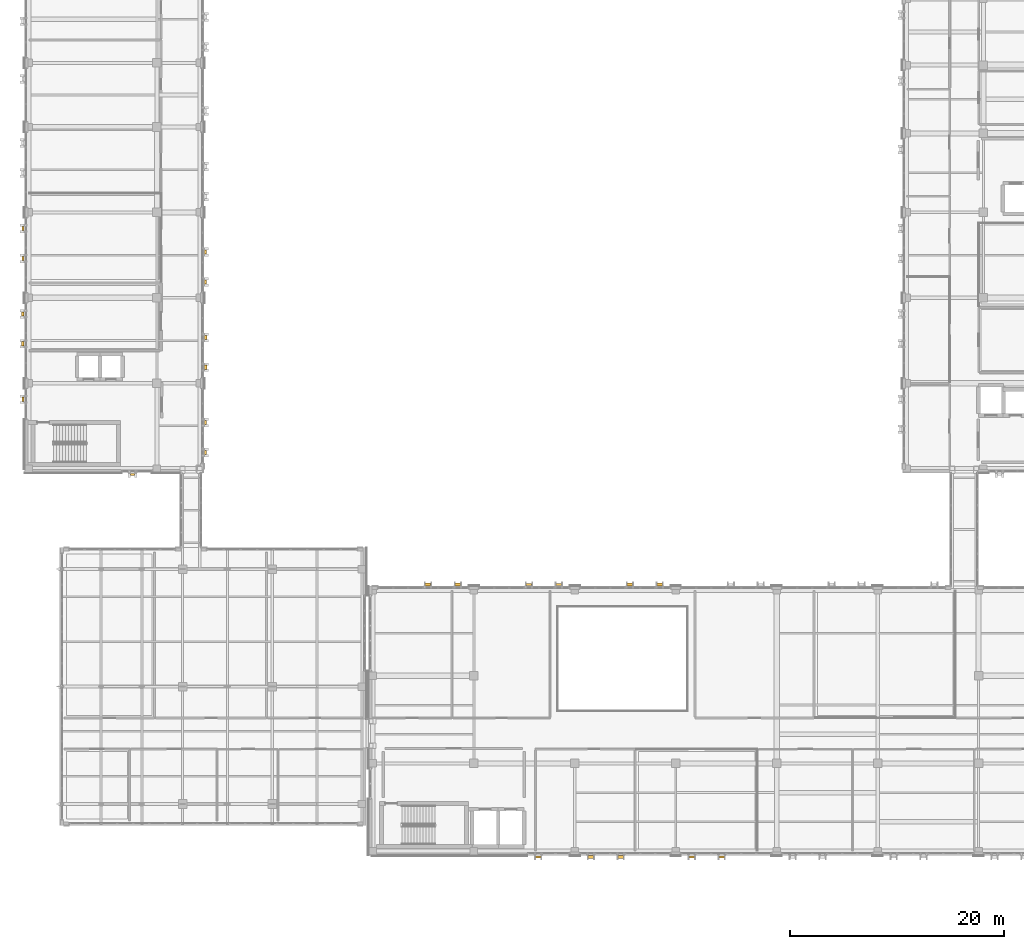
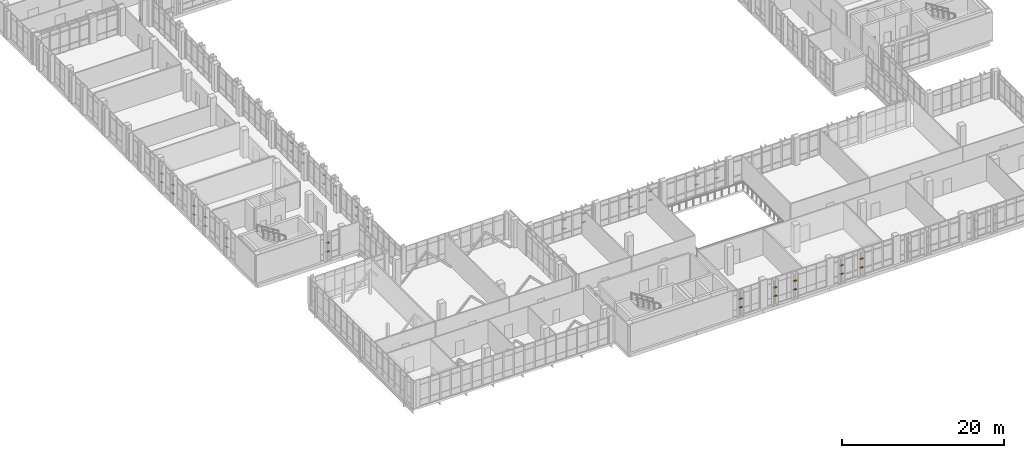
# One storey, part 189 of 193: 46 shading devices.
"""IFC4 building model written with IfcOpenShell, lengths in metres."""

import ifcopenshell
import ifcopenshell.guid

model = None  # the IFC model being written
_history = None  # IfcOwnerHistory: only IFC2X3 demands one
_inside = {}  # id of a spatial element -> (the spatial element, [elements in it])
_under = {}  # id of a project, library or spatial element -> (it, [spatial elements below it])
_declared = {}  # id of a project -> (the project, [libraries it declares])
_typed = {}  # id of a type object -> (the type object, [elements of that type])
_made_of = {}  # id of a material, layer set ... -> (it, [elements and type objects made of it])


def new_model(schema):
    """Start an empty IFC model of exactly this schema.

    Asked for "IFC4X3", IfcOpenShell would pick the latest addendum, in which some entities
    have other attributes; the version numbers below select the first issue.
    IFC2X3 requires an IfcOwnerHistory on every rooted entity: one is made here for all.
    """
    global model, _history
    if schema == "IFC4X3":
        model = ifcopenshell.file(schema_version=(4, 3, 0, 0))
    else:
        model = ifcopenshell.file(schema=schema)
    _inside.clear()
    _under.clear()
    _declared.clear()
    _typed.clear()
    _made_of.clear()
    _history = None
    if model.schema == "IFC2X3":
        org = make("IfcOrganization", Name="unknown")
        user = make(
            "IfcPersonAndOrganization",
            ThePerson=make("IfcPerson", FamilyName="unknown"),
            TheOrganization=org,
        )
        app = make(
            "IfcApplication",
            ApplicationDeveloper=org,
            Version="unknown",
            ApplicationFullName="unknown",
            ApplicationIdentifier="unknown",
        )
        _history = make(
            "IfcOwnerHistory",
            OwningUser=user,
            OwningApplication=app,
            ChangeAction="ADDED",
            CreationDate=0,
        )
    return model


def make(cls, **values):
    """One entity of the class cls with the attributes given. An attribute that is None is left unset."""
    return model.create_entity(
        cls, **{name: value for name, value in values.items() if value is not None}
    )


def rooted(cls, **values):
    """An entity with a GlobalId (a new one), such as an element, a storey or a relation."""
    return make(cls, GlobalId=ifcopenshell.guid.new(), OwnerHistory=_history, **values)


def si_unit(unit_type, name, prefix=None):
    """IfcSIUnit, for example si_unit("LENGTHUNIT", "METRE", prefix="MILLI")."""
    return make("IfcSIUnit", UnitType=unit_type, Prefix=prefix, Name=name)


def assignment(units):
    """IfcUnitAssignment: the units of a project."""
    return None if units is None else make("IfcUnitAssignment", Units=units)


def point(xyz):
    """IfcCartesianPoint."""
    return None if xyz is None else make("IfcCartesianPoint", Coordinates=xyz)


def direction(xyz):
    """IfcDirection."""
    return None if xyz is None else make("IfcDirection", DirectionRatios=xyz)


def frame(location, z_axis=None, x_axis=None):
    """IfcAxis2Placement3D, a coordinate frame: its origin and axes. An axis left out is left unset."""
    return make(
        "IfcAxis2Placement3D",
        Location=point(location),
        Axis=direction(z_axis),
        RefDirection=direction(x_axis),
    )


def frame_2d(location, x_axis=None):
    """IfcAxis2Placement2D, a coordinate frame in the plane: its origin and x axis."""
    return make(
        "IfcAxis2Placement2D", Location=point(location), RefDirection=direction(x_axis)
    )


def origin():
    """The frame at (0, 0, 0) with its axes left unset."""
    return frame((0.0, 0.0, 0.0))


def origin_2d():
    """The frame at (0, 0) in the plane with its x axis left unset."""
    return frame_2d((0.0, 0.0))


def place(relative_to, where):
    """IfcLocalPlacement: puts the frame where relative to a parent placement (None: the world)."""
    return make(
        "IfcLocalPlacement", PlacementRelTo=relative_to, RelativePlacement=where
    )


def context(
    kind, dimensions, precision=None, world=None, true_north=None, identifier=None
):
    """IfcGeometricRepresentationContext, for example the 3D "Model" context."""
    return make(
        "IfcGeometricRepresentationContext",
        ContextIdentifier=identifier,
        ContextType=kind,
        CoordinateSpaceDimension=dimensions,
        Precision=precision,
        WorldCoordinateSystem=world,
        TrueNorth=true_north,
    )


def subcontext(parent, identifier, kind, view, scale=None):
    """IfcGeometricRepresentationSubContext, for example "Body" below "Model"."""
    return make(
        "IfcGeometricRepresentationSubContext",
        ContextIdentifier=identifier,
        ContextType=kind,
        ParentContext=parent,
        TargetScale=scale,
        TargetView=view,
    )


def project(units=None, contexts=None):
    """IfcProject with its units and contexts."""
    return rooted(
        "IfcProject",
        Name="project",
        RepresentationContexts=contexts,
        UnitsInContext=assignment(units),
    )


def spatial(cls, under=None, at=None, **own):
    """A site, building, storey or space (cls), placed at a placement, below another one or the project."""
    s = rooted(cls, ObjectPlacement=at, **own)
    if under is not None:
        _under.setdefault(under.id(), (under, []))[1].append(s)
    return s


def profile(cls, at=None, kind="AREA", **sizes):
    """A parametric profile (cls). Its sizes go by their IFC names, for example OverallWidth=200.0."""
    return make(cls, ProfileType=kind, Position=at, **sizes)


def rectangle(**sizes):
    """IfcRectangleProfileDef."""
    return profile("IfcRectangleProfileDef", **sizes)


def extrude(swept, where, along, depth):
    """IfcExtrudedAreaSolid: the profile swept, set in the frame where, extruded along a direction by depth."""
    return make(
        "IfcExtrudedAreaSolid",
        SweptArea=swept,
        Position=where,
        ExtrudedDirection=direction(along),
        Depth=depth,
    )


def shape(context_of_items, identifier, shape_type, items):
    """IfcShapeRepresentation: the items that make up one representation, for example the "Body"."""
    return make(
        "IfcShapeRepresentation",
        ContextOfItems=context_of_items,
        RepresentationIdentifier=identifier,
        RepresentationType=shape_type,
        Items=items,
    )


def material(Name=None, Category=None):
    """IfcMaterial."""
    return make("IfcMaterial", Name=Name, Category=Category)


def made_of(thing, what):
    """Note that an element or type object is made of a material, layer set ...; save() writes the relation."""
    if what is not None:
        _made_of.setdefault(what.id(), (what, []))[1].append(thing)
    return thing


def type_object(cls, material=None, **own):
    """A type object (cls), such as IfcWallType, which elements share."""
    return made_of(rooted(cls, **own), material)


def element(
    cls,
    number,
    at=None,
    inside=None,
    cuts=None,
    type_object=None,
    material=None,
    context=None,
    identifier="Body",
    shape_type=None,
    held_by="IfcProductDefinitionShape",
    body=None,
    shapes=None,
    **own,
):
    """One element of the class cls, such as IfcWall. Its Tag is "e" and its number.

    at: its placement. inside: the storey or other place that contains it. cuts: it is an
    opening in that element (IfcRelVoidsElement). A single representation is given by context,
    identifier, shape_type and body (its items); several are given by shapes. held_by: the class
    of the entity that holds the representations. save() writes the other relations.
    """
    e = rooted(cls, Tag="e%d" % number, ObjectPlacement=at, **own)
    if body is not None:
        shapes = [shape(context, identifier, shape_type, body)]
    if shapes is not None:
        e.Representation = make(held_by, Representations=shapes)
    if inside is not None:
        _inside.setdefault(inside.id(), (inside, []))[1].append(e)
    if cuts is not None:
        rooted(
            "IfcRelVoidsElement", RelatingBuildingElement=cuts, RelatedOpeningElement=e
        )
    if type_object is not None:
        _typed.setdefault(type_object.id(), (type_object, []))[1].append(e)
    return made_of(e, material)


def aggregate(whole, parts):
    """IfcRelAggregates: a whole, such as a stair, and the parts it consists of."""
    return rooted("IfcRelAggregates", RelatingObject=whole, RelatedObjects=parts)


def save(model, path):
    """Write the relations noted so far, then the file.

    IfcRelAggregates (storeys below a building ...), IfcRelContainedInSpatialStructure (elements
    in a storey), IfcRelDefinesByType, IfcRelAssociatesMaterial and IfcRelDeclares: one each for
    every whole, place, type object, material and project.
    """
    for whole, parts in _under.values():
        aggregate(whole, parts)
    for where, things in _inside.values():
        rooted(
            "IfcRelContainedInSpatialStructure",
            RelatedElements=things,
            RelatingStructure=where,
        )
    for kind, things in _typed.values():
        rooted("IfcRelDefinesByType", RelatedObjects=things, RelatingType=kind)
    for what, things in _made_of.values():
        rooted("IfcRelAssociatesMaterial", RelatedObjects=things, RelatingMaterial=what)
    for by, libraries in _declared.values():
        rooted("IfcRelDeclares", RelatingContext=by, RelatedDefinitions=libraries)
    model.write(path)


model = new_model("IFC4")

# Units and contexts
model_context = context("Model", 3, precision=1e-05, world=origin(), true_north=direction((0.0, 1.0)))
body_context = subcontext(model_context, "Body", "Model", "MODEL_VIEW")
ifc_project = project(units=[si_unit("LENGTHUNIT", "METRE"), si_unit("AREAUNIT", "SQUARE_METRE"), si_unit("VOLUMEUNIT", "CUBIC_METRE"), si_unit("PLANEANGLEUNIT", "RADIAN"), si_unit("MASSUNIT", "GRAM", prefix="KILO")], contexts=[model_context])

# Site, building, storey
site_placement = place(None, origin())
site = spatial("IfcSite", under=ifc_project, at=site_placement, CompositionType="ELEMENT")
building_placement = place(site_placement, origin())
building = spatial("IfcBuilding", under=site, at=building_placement, Name="Qalavern Law Courts", CompositionType="ELEMENT")
storey_placement = place(building_placement, frame((0.0, 0.0, 10.199951171875)))
storey = spatial("IfcBuildingStorey", under=building, at=storey_placement, Name="L02", CompositionType="ELEMENT", Elevation=10.199951171875)

# Shading devices
ifc_material = material(Name="Anodised aluminium", Category="aluminium")
shading_device_type_1 = type_object("IfcShadingDeviceType", Name="ENV-LOUV-1", PredefinedType="JALOUSIE", material=ifc_material)
for number, where, z_axis, x_axis, name in (
    (1, (50.10009765625, 5.044921875, 1.34033203125), (0.0, 0.0, 1.0), (1.0, 0.0, 0.0), "Horizontal sun louvre V2-L02-0-1"),
    (2, (50.10009765625, 5.044921875, 2.63232421875), (0.0, 0.0, 1.0), (1.0, 0.0, 0.0), "Horizontal sun louvre V2-L02-0-2"),
    (3, (64.48291015625, 5.044921875, 1.34033203125), (0.0, 0.0, 1.0), (1.0, 0.0, 0.0), "Horizontal sun louvre V2-L02-0-1"),
    (4, (64.48291015625, 5.044921875, 2.63232421875), (0.0, 0.0, 1.0), (1.0, 0.0, 0.0), "Horizontal sun louvre V2-L02-0-2"),
    (5, (67.282958984375, 5.044921875, 1.34033203125), (0.0, 0.0, 1.0), (1.0, 0.0, 0.0), "Horizontal sun louvre V2-L02-1-1"),
    (6, (67.282958984375, 5.044921875, 2.63232421875), (0.0, 0.0, 1.0), (1.0, 0.0, 0.0), "Horizontal sun louvre V2-L02-1-2"),
    (7, (52.028564453125, 30.554931640625, 1.34033203125), (0.0, 0.0, 1.0), (-1.0, 0.0, 0.0), "Horizontal sun louvre V2-L02-0-1"),
    (8, (52.028564453125, 30.554931640625, 2.63232421875), (0.0, 0.0, 1.0), (-1.0, 0.0, 0.0), "Horizontal sun louvre V2-L02-0-2"),
    (9, (49.228515625, 30.554931640625, 1.34033203125), (0.0, 0.0, 1.0), (-1.0, 0.0, 0.0), "Horizontal sun louvre V2-L02-1-1"),
    (10, (49.228515625, 30.554931640625, 2.63232421875), (0.0, 0.0, 1.0), (-1.0, 0.0, 0.0), "Horizontal sun louvre V2-L02-1-2"),
):
    element("IfcShadingDevice", number, at=place(storey_placement, frame(where, z_axis=z_axis, x_axis=x_axis)), inside=storey, type_object=shading_device_type_1, Name=name, PredefinedType="JALOUSIE", context=body_context, shape_type="SweptSolid", body=[
        extrude(rectangle(XDim=0.514892578125, YDim=0.2099609375, at=origin_2d()), origin(), (0.0, 0.0, 1.0), 0.06005859375),
    ])
for number, where, z_axis, x_axis, name in (
    (11, (12.10009765625, 40.864990234375, 1.34033203125), (0.0, 0.0, 1.0), (1.0, 0.0, 0.0), "Horizontal sun louvre V3-L02-0-1"),
    (12, (12.10009765625, 40.864990234375, 2.63232421875), (0.0, 0.0, 1.0), (1.0, 0.0, 0.0), "Horizontal sun louvre V3-L02-0-2"),
    (13, (18.955078125, 42.919921875, 1.34033203125), (0.0, 0.0, 1.0), (0.0, 1.0, 0.0), "Horizontal sun louvre V3-L02-0-1"),
    (14, (18.955078125, 42.919921875, 2.63232421875), (0.0, 0.0, 1.0), (0.0, 1.0, 0.0), "Horizontal sun louvre V3-L02-0-2"),
    (15, (18.955078125, 45.719970703125, 1.34033203125), (0.0, 0.0, 1.0), (0.0, 1.0, 0.0), "Horizontal sun louvre V3-L02-1-1"),
    (16, (18.955078125, 45.719970703125, 2.63232421875), (0.0, 0.0, 1.0), (0.0, 1.0, 0.0), "Horizontal sun louvre V3-L02-1-2"),
    (17, (18.955078125, 58.89990234375, 1.34033203125), (0.0, 0.0, 1.0), (0.0, 1.0, 0.0), "Horizontal sun louvre V3-L02-0-1"),
    (18, (18.955078125, 58.89990234375, 2.63232421875), (0.0, 0.0, 1.0), (0.0, 1.0, 0.0), "Horizontal sun louvre V3-L02-0-2"),
    (19, (18.955078125, 61.699951171875, 1.34033203125), (0.0, 0.0, 1.0), (0.0, 1.0, 0.0), "Horizontal sun louvre V3-L02-1-1"),
    (20, (18.955078125, 61.699951171875, 2.63232421875), (0.0, 0.0, 1.0), (0.0, 1.0, 0.0), "Horizontal sun louvre V3-L02-1-2"),
    (21, (1.844970703125, 63.89990234375, 1.34033203125), (0.0, 0.0, 1.0), (0.0, -1.0, 0.0), "Horizontal sun louvre V3-L02-0-1"),
    (22, (1.844970703125, 63.89990234375, 2.63232421875), (0.0, 0.0, 1.0), (0.0, -1.0, 0.0), "Horizontal sun louvre V3-L02-0-2"),
    (23, (1.844970703125, 61.10009765625, 1.34033203125), (0.0, 0.0, 1.0), (0.0, -1.0, 0.0), "Horizontal sun louvre V3-L02-1-1"),
    (24, (1.844970703125, 61.10009765625, 2.63232421875), (0.0, 0.0, 1.0), (0.0, -1.0, 0.0), "Horizontal sun louvre V3-L02-1-2"),
    (25, (1.844970703125, 47.89990234375, 1.34033203125), (0.0, 0.0, 1.0), (0.0, -1.0, 0.0), "Horizontal sun louvre V3-L02-0-1"),
    (26, (1.844970703125, 47.89990234375, 2.63232421875), (0.0, 0.0, 1.0), (0.0, -1.0, 0.0), "Horizontal sun louvre V3-L02-0-2"),
):
    element("IfcShadingDevice", number, at=place(storey_placement, frame(where, z_axis=z_axis, x_axis=x_axis)), inside=storey, type_object=shading_device_type_1, Name=name, PredefinedType="JALOUSIE", context=body_context, shape_type="SweptSolid", body=[
        extrude(rectangle(XDim=0.389892578125, YDim=0.2099609375, at=origin_2d()), origin(), (0.0, 0.0, 1.0), 0.06005859375),
    ])
shading_device_type_2 = type_object("IfcShadingDeviceType", Name="ENV-LOUV-2", PredefinedType="JALOUSIE", material=ifc_material)
for number, where, z_axis, x_axis, name in (
    (27, (55.028564453125, 5.044921875, 1.34033203125), (0.0, 0.0, 1.0), (1.0, 0.0, 0.0), "Horizontal sun louvre V2-L02-0-1"),
    (28, (55.028564453125, 5.044921875, 2.63232421875), (0.0, 0.0, 1.0), (1.0, 0.0, 0.0), "Horizontal sun louvre V2-L02-0-2"),
    (29, (57.82861328125, 5.044921875, 1.34033203125), (0.0, 0.0, 1.0), (1.0, 0.0, 0.0), "Horizontal sun louvre V2-L02-1-1"),
    (30, (57.82861328125, 5.044921875, 2.63232421875), (0.0, 0.0, 1.0), (1.0, 0.0, 0.0), "Horizontal sun louvre V2-L02-1-2"),
    (31, (61.48291015625, 30.554931640625, 1.34033203125), (0.0, 0.0, 1.0), (-1.0, 0.0, 0.0), "Horizontal sun louvre V2-L02-0-1"),
    (32, (61.48291015625, 30.554931640625, 2.63232421875), (0.0, 0.0, 1.0), (-1.0, 0.0, 0.0), "Horizontal sun louvre V2-L02-0-2"),
    (33, (58.682861328125, 30.554931640625, 1.34033203125), (0.0, 0.0, 1.0), (-1.0, 0.0, 0.0), "Horizontal sun louvre V2-L02-1-1"),
    (34, (58.682861328125, 30.554931640625, 2.63232421875), (0.0, 0.0, 1.0), (-1.0, 0.0, 0.0), "Horizontal sun louvre V2-L02-1-2"),
    (35, (42.57421875, 30.554931640625, 1.34033203125), (0.0, 0.0, 1.0), (-1.0, 0.0, 0.0), "Horizontal sun louvre V2-L02-0-1"),
    (36, (42.57421875, 30.554931640625, 2.63232421875), (0.0, 0.0, 1.0), (-1.0, 0.0, 0.0), "Horizontal sun louvre V2-L02-0-2"),
    (37, (39.7744140625, 30.554931640625, 1.34033203125), (0.0, 0.0, 1.0), (-1.0, 0.0, 0.0), "Horizontal sun louvre V2-L02-1-1"),
    (38, (39.7744140625, 30.554931640625, 2.63232421875), (0.0, 0.0, 1.0), (-1.0, 0.0, 0.0), "Horizontal sun louvre V2-L02-1-2"),
):
    element("IfcShadingDevice", number, at=place(storey_placement, frame(where, z_axis=z_axis, x_axis=x_axis)), inside=storey, type_object=shading_device_type_2, Name=name, PredefinedType="JALOUSIE", context=body_context, shape_type="SweptSolid", body=[
        extrude(rectangle(XDim=0.514892578125, YDim=0.25, at=origin_2d()), origin(), (0.0, 0.0, 1.0), 0.06005859375),
    ])
for number, where, z_axis, x_axis, name in (
    (39, (18.955078125, 50.89990234375, 1.34033203125), (0.0, 0.0, 1.0), (0.0, 1.0, 0.0), "Horizontal sun louvre V3-L02-0-1"),
    (40, (18.955078125, 50.89990234375, 2.63232421875), (0.0, 0.0, 1.0), (0.0, 1.0, 0.0), "Horizontal sun louvre V3-L02-0-2"),
    (41, (18.955078125, 53.699951171875, 1.34033203125), (0.0, 0.0, 1.0), (0.0, 1.0, 0.0), "Horizontal sun louvre V3-L02-1-1"),
    (42, (18.955078125, 53.699951171875, 2.63232421875), (0.0, 0.0, 1.0), (0.0, 1.0, 0.0), "Horizontal sun louvre V3-L02-1-2"),
    (43, (1.844970703125, 55.89990234375, 1.34033203125), (0.0, 0.0, 1.0), (0.0, -1.0, 0.0), "Horizontal sun louvre V3-L02-0-1"),
    (44, (1.844970703125, 55.89990234375, 2.63232421875), (0.0, 0.0, 1.0), (0.0, -1.0, 0.0), "Horizontal sun louvre V3-L02-0-2"),
    (45, (1.844970703125, 53.10009765625, 1.34033203125), (0.0, 0.0, 1.0), (0.0, -1.0, 0.0), "Horizontal sun louvre V3-L02-1-1"),
    (46, (1.844970703125, 53.10009765625, 2.63232421875), (0.0, 0.0, 1.0), (0.0, -1.0, 0.0), "Horizontal sun louvre V3-L02-1-2"),
):
    element("IfcShadingDevice", number, at=place(storey_placement, frame(where, z_axis=z_axis, x_axis=x_axis)), inside=storey, type_object=shading_device_type_2, Name=name, PredefinedType="JALOUSIE", context=body_context, shape_type="SweptSolid", body=[
        extrude(rectangle(XDim=0.389892578125, YDim=0.25, at=origin_2d()), origin(), (0.0, 0.0, 1.0), 0.06005859375),
    ])

save(model, "model.ifc")
